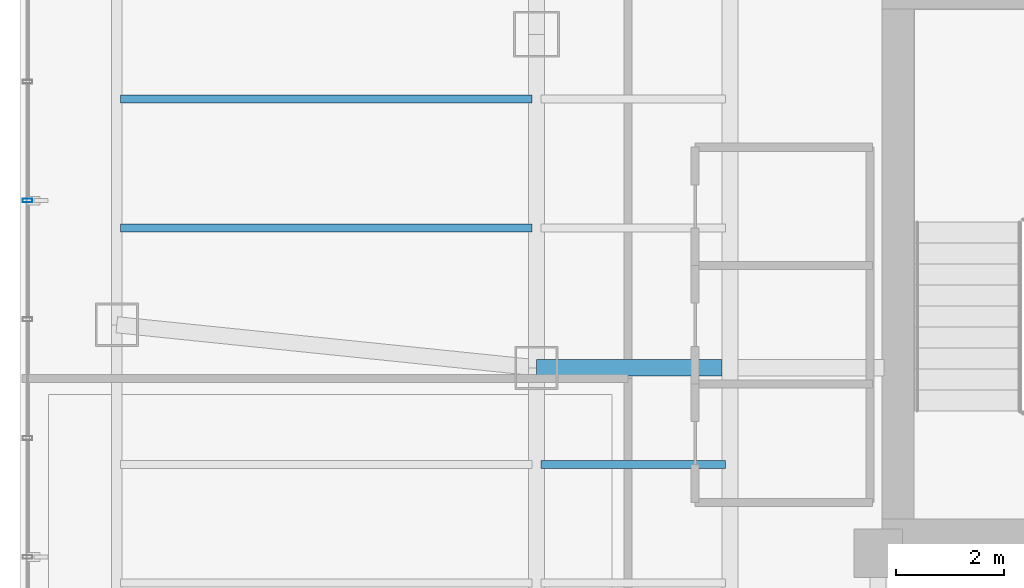
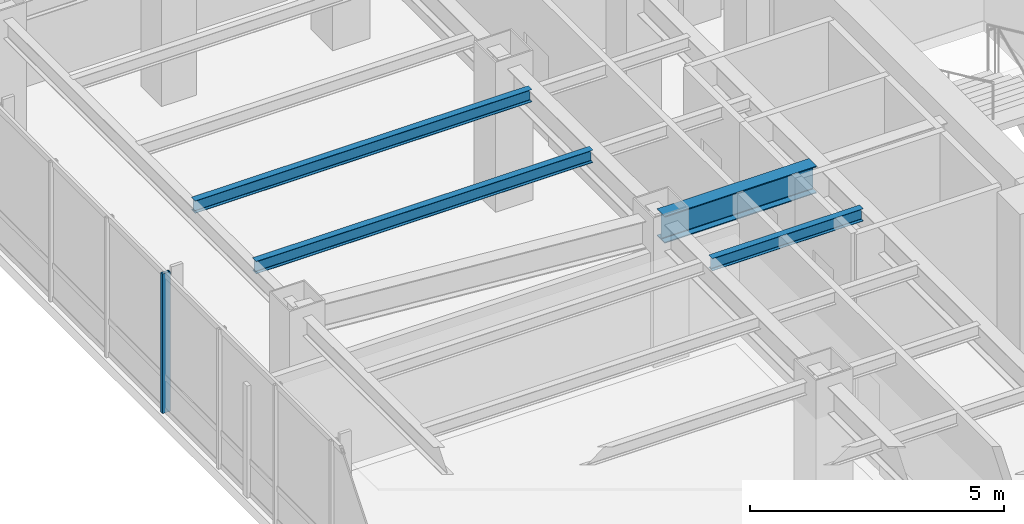
# One storey, part 8 of 28: 4 beams, 1 member, 1 element without a shape of its own.
"""IFC4 building model written with IfcOpenShell, lengths in metres."""

from ifc_helpers import new_model, si_unit, direction, frame, origin, origin_2d, place, context, subcontext, project, spatial, hollow_rectangle, i_section, extrude, material, layer, layer_set, material_profile, profile_set, type_object, element, aggregate, save


model = new_model("IFC4")

# Units and contexts
model_context = context("Model", 3, precision=1e-05, world=origin(), true_north=direction((0.0, 1.0)))
body_context = subcontext(model_context, "Body", "Model", "MODEL_VIEW")
ifc_project = project(units=[si_unit("LENGTHUNIT", "METRE"), si_unit("AREAUNIT", "SQUARE_METRE"), si_unit("VOLUMEUNIT", "CUBIC_METRE"), si_unit("PLANEANGLEUNIT", "RADIAN"), si_unit("MASSUNIT", "GRAM", prefix="KILO")], contexts=[model_context])

# Site, building, storey
site_placement = place(None, origin())
site = spatial("IfcSite", under=ifc_project, at=site_placement, CompositionType="ELEMENT")
building_placement = place(site_placement, origin())
building = spatial("IfcBuilding", under=site, at=building_placement, Name="Hatsunagi Terrace Concourse", CompositionType="ELEMENT")
storey_placement = place(building_placement, frame((0.0, 0.0, 138.449951171875)))
storey = spatial("IfcBuildingStorey", under=building, at=storey_placement, Name="L36", CompositionType="ELEMENT", Elevation=138.449951171875)

# Curtain wall, member
ifc_material_1 = material(Name="Anodised Aluminium Alloy 6063-T5", Category="aluminium")
ifc_layer = layer(ifc_material_1, 0.199951171875)
ifc_layer_set = layer_set([ifc_layer], Name="OfficeZone1_CW03")
curtain_wall_type = type_object("IfcCurtainWallType", Name="OfficeZone1_CW03", PredefinedType="NOTDEFINED", material=ifc_layer_set)
curtain_wall_placement = place(storey_placement, origin())
curtain_wall = element("IfcCurtainWall", 1, at=curtain_wall_placement, inside=storey, type_object=curtain_wall_type, Name="Unitised Curtain Wall CW-03 CW-L36-09", PredefinedType="NOTDEFINED")
ifc_material_2 = material(Name="Anodised Aluminium Alloy 6063-T5", Category="aluminium")
ifc_material_profile_1 = material_profile(ifc_material_2, hollow_rectangle(XDim=0.070068359375, YDim=0.179931640625, WallThickness=0.00390625, at=origin_2d()), Name="ALU-MUL-180x70x4")
ifc_profile_set_1 = profile_set([ifc_material_profile_1], Name="Anodised Aluminium Alloy 6063-T5")
member_type = type_object("IfcMemberType", Name="CurtainWallMullion_180x70", PredefinedType="MULLION", material=ifc_profile_set_1)
member_placement = place(storey_placement, frame((9.739990234375, 39.10791015625, 0.0), z_axis=(0.0, 0.0, 1.0), x_axis=(0.0, 1.0, 0.0)))
member = element("IfcMember", 2, at=member_placement, type_object=member_type, Name="Curtain Wall Mullion MUL-02", PredefinedType="MULLION", context=body_context, shape_type="SweptSolid", body=[
    extrude(hollow_rectangle(XDim=0.070068359375, YDim=0.179931640625, WallThickness=0.00390625, at=origin_2d()), origin(), (0.0, 0.0, 1.0), 3.35009765625),
])
aggregate(curtain_wall, [member])

# Beams
ifc_material_3 = material(Name="Steel SN490B", Category="steel")
ifc_material_profile_2 = material_profile(ifc_material_3, i_section(OverallWidth=0.14990234375, OverallDepth=0.300048828125, WebThickness=0.006591796875, FlangeThickness=0.009033203125, FilletRadius=0.010986328125, at=origin_2d()), Name="H-300x150x6.5x9")
ifc_profile_set_2 = profile_set([ifc_material_profile_2], Name="Steel SN490B")
beam_type_1 = type_object("IfcBeamType", Name="OfficeJoist_H_300x150", PredefinedType="JOIST", material=ifc_profile_set_2)
beam_1_placement = place(storey_placement, frame((19.284912109375, 34.199951171875, 3.199951171875), z_axis=(1.0, 0.0, 0.0), x_axis=(0.0, 1.0, 0.0)))
element("IfcBeam", 3, at=beam_1_placement, inside=storey, type_object=beam_type_1, Name="Beam J-03 J-L36-W-19-342", PredefinedType="JOIST", context=body_context, shape_type="SweptSolid", body=[
    extrude(i_section(OverallWidth=0.14990234375, OverallDepth=0.300048828125, WebThickness=0.006591796875, FlangeThickness=0.009033203125, FilletRadius=0.010986328125, at=origin_2d()), origin(), (0.0, 0.0, 1.0), 3.43017578125),
])
for number, where, z_axis, x_axis, name in (
    (4, (11.465087890625, 38.60009765625, 3.199951171875), (1.0, 0.0, 0.0), (0.0, 1.0, 0.0), "Beam J-03 J-L36-W-11-386"),
    (5, (11.465087890625, 41.0, 3.199951171875), (1.0, 0.0, 0.0), (0.0, 1.0, 0.0), "Beam J-03 J-L36-W-11-410"),
):
    element("IfcBeam", number, at=place(storey_placement, frame(where, z_axis=z_axis, x_axis=x_axis)), inside=storey, type_object=beam_type_1, Name=name, PredefinedType="JOIST", context=body_context, shape_type="SweptSolid", body=[
        extrude(i_section(OverallWidth=0.14990234375, OverallDepth=0.300048828125, WebThickness=0.006591796875, FlangeThickness=0.009033203125, FilletRadius=0.010986328125, at=origin_2d()), origin(), (0.0, 0.0, 1.0), 7.64990234375),
    ])
ifc_material_4 = material(Name="Steel SN490B", Category="steel")
ifc_material_profile_3 = material_profile(ifc_material_4, i_section(OverallWidth=0.300048828125, OverallDepth=0.64990234375, WebThickness=0.012939453125, FlangeThickness=0.02197265625, FilletRadius=0.01806640625, at=origin_2d()), Name="H-650x300x13x22")
ifc_profile_set_3 = profile_set([ifc_material_profile_3], Name="Steel SN490B")
beam_type_2 = type_object("IfcBeamType", Name="OfficeLowGirder_H_650x300", PredefinedType="BEAM", material=ifc_profile_set_3)
beam_2_placement = place(storey_placement, frame((19.199951171875, 36.0, 3.025146484375), z_axis=(1.0, 0.0, 0.0), x_axis=(0.0, 1.0, 0.0)))
element("IfcBeam", 6, at=beam_2_placement, inside=storey, type_object=beam_type_2, Name="Beam G-05 BM-L36-EW-3", PredefinedType="BEAM", context=body_context, shape_type="SweptSolid", body=[
    extrude(i_section(OverallWidth=0.300048828125, OverallDepth=0.64990234375, WebThickness=0.012939453125, FlangeThickness=0.02197265625, FilletRadius=0.01806640625, at=origin_2d()), origin(), (0.0, 0.0, 1.0), 3.449951171875),
])

save(model, "model.ifc")
